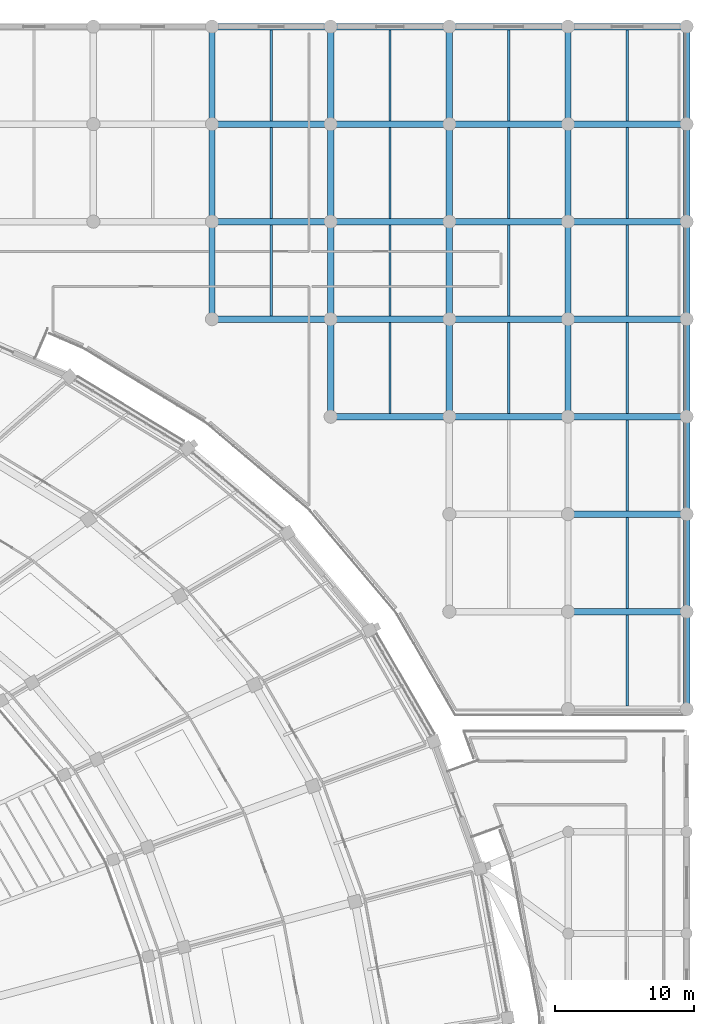
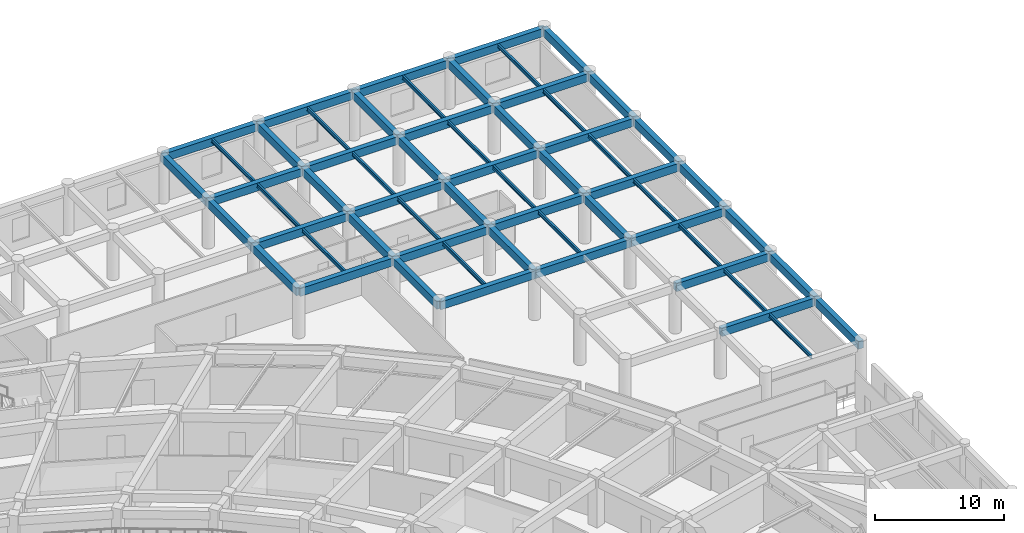
# One storey, part 76 of 152: 61 beams.
"""IFC4 building model written with IfcOpenShell, lengths in metres."""

from ifc_helpers import new_model, si_unit, direction, frame, origin, origin_2d, place, context, subcontext, project, spatial, rectangle, i_section, extrude, material, material_profile, profile_set, type_object, element, save


model = new_model("IFC4")

# Units and contexts
model_context = context("Model", 3, precision=1e-05, world=origin(), true_north=direction((0.0, 1.0)))
body_context = subcontext(model_context, "Body", "Model", "MODEL_VIEW")
ifc_project = project(units=[si_unit("LENGTHUNIT", "METRE"), si_unit("AREAUNIT", "SQUARE_METRE"), si_unit("VOLUMEUNIT", "CUBIC_METRE"), si_unit("PLANEANGLEUNIT", "RADIAN"), si_unit("MASSUNIT", "GRAM", prefix="KILO")], contexts=[model_context])

# Site, building, storey
site_placement = place(None, origin())
site = spatial("IfcSite", under=ifc_project, at=site_placement, CompositionType="ELEMENT")
building_placement = place(site_placement, origin())
building = spatial("IfcBuilding", under=site, at=building_placement, Name="Mphavela Belvedere Stadium", CompositionType="ELEMENT")
storey_placement = place(building_placement, frame((0.0, 0.0, 5.39990234375)))
storey = spatial("IfcBuildingStorey", under=building, at=storey_placement, Name="L01", CompositionType="ELEMENT", Elevation=5.39990234375)

# Beams
ifc_material_1 = material(Name="Steel S355", Category="steel")
ifc_material_profile_1 = material_profile(ifc_material_1, i_section(OverallWidth=0.169921875, OverallDepth=0.360107421875, WebThickness=0.008056640625, FlangeThickness=0.0126953125, at=origin_2d()), Name="IPE 360")
ifc_profile_set_1 = profile_set([ifc_material_profile_1], Name="Steel S355")
beam_type_1 = type_object("IfcBeamType", Name="BM-JOIST-IPE360", PredefinedType="JOIST", material=ifc_profile_set_1)
for number, where, z_axis, x_axis, name in (
    (1, (200.18505859375, 153.22509765625, 4.360107421875), (0.0, 1.0, 0.0), (-1.0, 0.0, 0.0), "North Mast and Ceremonial End Forecourt secondary joist L01 24-5"),
    (2, (200.18505859375, 160.22509765625, 4.360107421875), (0.0, 1.0, 0.0), (-1.0, 0.0, 0.0), "North Mast and Ceremonial End Forecourt secondary joist L01 24-6"),
    (3, (200.18505859375, 167.22509765625, 4.360107421875), (0.0, 1.0, 0.0), (-1.0, 0.0, 0.0), "North Mast and Ceremonial End Forecourt secondary joist L01 24-7"),
    (4, (208.70361328125, 146.22509765625, 4.360107421875), (0.0, 1.0, 0.0), (-1.0, 0.0, 0.0), "North Mast and Ceremonial End Forecourt secondary joist L01 25-4"),
    (5, (208.70361328125, 153.22509765625, 4.360107421875), (0.0, 1.0, 0.0), (-1.0, 0.0, 0.0), "North Mast and Ceremonial End Forecourt secondary joist L01 25-5"),
    (6, (208.70361328125, 160.22509765625, 4.360107421875), (0.0, 1.0, 0.0), (-1.0, 0.0, 0.0), "North Mast and Ceremonial End Forecourt secondary joist L01 25-6"),
    (7, (208.70361328125, 167.22509765625, 4.360107421875), (0.0, 1.0, 0.0), (-1.0, 0.0, 0.0), "North Mast and Ceremonial End Forecourt secondary joist L01 25-7"),
    (8, (217.221923828125, 146.22509765625, 4.360107421875), (0.0, 1.0, 0.0), (-1.0, 0.0, 0.0), "North Mast and Ceremonial End Forecourt secondary joist L01 26-4"),
    (9, (217.221923828125, 153.22509765625, 4.360107421875), (0.0, 1.0, 0.0), (-1.0, 0.0, 0.0), "North Mast and Ceremonial End Forecourt secondary joist L01 26-5"),
    (10, (217.221923828125, 160.22509765625, 4.360107421875), (0.0, 1.0, 0.0), (-1.0, 0.0, 0.0), "North Mast and Ceremonial End Forecourt secondary joist L01 26-6"),
    (11, (217.221923828125, 167.22509765625, 4.360107421875), (0.0, 1.0, 0.0), (-1.0, 0.0, 0.0), "North Mast and Ceremonial End Forecourt secondary joist L01 26-7"),
    (12, (225.740478515625, 125.22509765625, 4.360107421875), (0.0, 1.0, 0.0), (-1.0, 0.0, 0.0), "North Mast and Ceremonial End Forecourt secondary joist L01 27-1"),
    (13, (225.740478515625, 132.22509765625, 4.360107421875), (0.0, 1.0, 0.0), (-1.0, 0.0, 0.0), "North Mast and Ceremonial End Forecourt secondary joist L01 27-2"),
    (14, (225.740478515625, 139.22509765625, 4.360107421875), (0.0, 1.0, 0.0), (-1.0, 0.0, 0.0), "North Mast and Ceremonial End Forecourt secondary joist L01 27-3"),
    (15, (225.740478515625, 146.22509765625, 4.360107421875), (0.0, 1.0, 0.0), (-1.0, 0.0, 0.0), "North Mast and Ceremonial End Forecourt secondary joist L01 27-4"),
    (16, (225.740478515625, 153.22509765625, 4.360107421875), (0.0, 1.0, 0.0), (-1.0, 0.0, 0.0), "North Mast and Ceremonial End Forecourt secondary joist L01 27-5"),
    (17, (225.740478515625, 160.22509765625, 4.360107421875), (0.0, 1.0, 0.0), (-1.0, 0.0, 0.0), "North Mast and Ceremonial End Forecourt secondary joist L01 27-6"),
    (18, (225.740478515625, 167.22509765625, 4.360107421875), (0.0, 1.0, 0.0), (-1.0, 0.0, 0.0), "North Mast and Ceremonial End Forecourt secondary joist L01 27-7"),
):
    element("IfcBeam", number, at=place(storey_placement, frame(where, z_axis=z_axis, x_axis=x_axis)), inside=storey, type_object=beam_type_1, Name=name, PredefinedType="JOIST", context=body_context, shape_type="SweptSolid", body=[
        extrude(i_section(OverallWidth=0.169921875, OverallDepth=0.360107421875, WebThickness=0.008056640625, FlangeThickness=0.0126953125, at=origin_2d()), origin(), (0.0, 0.0, 1.0), 6.5498046875),
    ])
ifc_material_2 = material(Name="Concrete C40/50", Category="concrete")
ifc_material_profile_2 = material_profile(ifc_material_2, rectangle(XDim=0.449951171875, YDim=0.75, at=origin_2d()), Name="RC 450x750")
ifc_profile_set_2 = profile_set([ifc_material_profile_2], Name="Concrete C40/50")
beam_type_2 = type_object("IfcBeamType", Name="BM-RC450x750", PredefinedType="BEAM", material=ifc_profile_set_2)
beam_1_placement = place(storey_placement, frame((195.926025390625, 153.0, 4.1650390625), z_axis=(1.0, 0.0, 0.0), x_axis=(0.0, 1.0, 0.0)))
element("IfcBeam", 19, at=beam_1_placement, inside=storey, type_object=beam_type_2, Name="North Mast and Ceremonial End Forecourt entablature beam X L01 24-5", PredefinedType="BEAM", context=body_context, shape_type="SweptSolid", body=[
    extrude(rectangle(XDim=0.449951171875, YDim=0.75, at=origin_2d()), origin(), (0.0, 0.0, 1.0), 8.51806640625),
])
beam_2_placement = place(storey_placement, frame((195.926025390625, 153.0, 4.1650390625), z_axis=(0.0, 1.0, 0.0), x_axis=(-1.0, 0.0, 0.0)))
element("IfcBeam", 20, at=beam_2_placement, inside=storey, type_object=beam_type_2, Name="North Mast and Ceremonial End Forecourt entablature beam Y L01 24-5", PredefinedType="BEAM", context=body_context, shape_type="SweptSolid", body=[
    extrude(rectangle(XDim=0.449951171875, YDim=0.75, at=origin_2d()), origin(), (0.0, 0.0, 1.0), 7.0),
])
beam_3_placement = place(storey_placement, frame((195.926025390625, 160.0, 4.1650390625), z_axis=(1.0, 0.0, 0.0), x_axis=(0.0, 1.0, 0.0)))
element("IfcBeam", 21, at=beam_3_placement, inside=storey, type_object=beam_type_2, Name="North Mast and Ceremonial End Forecourt entablature beam X L01 24-6", PredefinedType="BEAM", context=body_context, shape_type="SweptSolid", body=[
    extrude(rectangle(XDim=0.449951171875, YDim=0.75, at=origin_2d()), origin(), (0.0, 0.0, 1.0), 8.51806640625),
])
beam_4_placement = place(storey_placement, frame((195.926025390625, 160.0, 4.1650390625), z_axis=(0.0, 1.0, 0.0), x_axis=(-1.0, 0.0, 0.0)))
element("IfcBeam", 22, at=beam_4_placement, inside=storey, type_object=beam_type_2, Name="North Mast and Ceremonial End Forecourt entablature beam Y L01 24-6", PredefinedType="BEAM", context=body_context, shape_type="SweptSolid", body=[
    extrude(rectangle(XDim=0.449951171875, YDim=0.75, at=origin_2d()), origin(), (0.0, 0.0, 1.0), 7.0),
])
beam_5_placement = place(storey_placement, frame((195.926025390625, 167.0, 4.1650390625), z_axis=(1.0, 0.0, 0.0), x_axis=(0.0, 1.0, 0.0)))
element("IfcBeam", 23, at=beam_5_placement, inside=storey, type_object=beam_type_2, Name="North Mast and Ceremonial End Forecourt entablature beam X L01 24-7", PredefinedType="BEAM", context=body_context, shape_type="SweptSolid", body=[
    extrude(rectangle(XDim=0.449951171875, YDim=0.75, at=origin_2d()), origin(), (0.0, 0.0, 1.0), 8.51806640625),
])
beam_6_placement = place(storey_placement, frame((195.926025390625, 167.0, 4.1650390625), z_axis=(0.0, 1.0, 0.0), x_axis=(-1.0, 0.0, 0.0)))
element("IfcBeam", 24, at=beam_6_placement, inside=storey, type_object=beam_type_2, Name="North Mast and Ceremonial End Forecourt entablature beam Y L01 24-7", PredefinedType="BEAM", context=body_context, shape_type="SweptSolid", body=[
    extrude(rectangle(XDim=0.449951171875, YDim=0.75, at=origin_2d()), origin(), (0.0, 0.0, 1.0), 7.0),
])
beam_7_placement = place(storey_placement, frame((195.926025390625, 174.0, 4.1650390625), z_axis=(1.0, 0.0, 0.0), x_axis=(0.0, 1.0, 0.0)))
element("IfcBeam", 25, at=beam_7_placement, inside=storey, type_object=beam_type_2, Name="North Mast and Ceremonial End Forecourt entablature beam X L01 24-8", PredefinedType="BEAM", context=body_context, shape_type="SweptSolid", body=[
    extrude(rectangle(XDim=0.449951171875, YDim=0.75, at=origin_2d()), origin(), (0.0, 0.0, 1.0), 8.51806640625),
])
beam_8_placement = place(storey_placement, frame((204.444091796875, 146.0, 4.1650390625), z_axis=(1.0, 0.0, 0.0), x_axis=(0.0, 1.0, 0.0)))
element("IfcBeam", 26, at=beam_8_placement, inside=storey, type_object=beam_type_2, Name="North Mast and Ceremonial End Forecourt entablature beam X L01 25-4", PredefinedType="BEAM", context=body_context, shape_type="SweptSolid", body=[
    extrude(rectangle(XDim=0.449951171875, YDim=0.75, at=origin_2d()), origin(), (0.0, 0.0, 1.0), 8.518798828125),
])
beam_9_placement = place(storey_placement, frame((204.444091796875, 146.0, 4.1650390625), z_axis=(0.0, 1.0, 0.0), x_axis=(-1.0, 0.0, 0.0)))
element("IfcBeam", 27, at=beam_9_placement, inside=storey, type_object=beam_type_2, Name="North Mast and Ceremonial End Forecourt entablature beam Y L01 25-4", PredefinedType="BEAM", context=body_context, shape_type="SweptSolid", body=[
    extrude(rectangle(XDim=0.449951171875, YDim=0.75, at=origin_2d()), origin(), (0.0, 0.0, 1.0), 7.0),
])
beam_10_placement = place(storey_placement, frame((204.444091796875, 153.0, 4.1650390625), z_axis=(1.0, 0.0, 0.0), x_axis=(0.0, 1.0, 0.0)))
element("IfcBeam", 28, at=beam_10_placement, inside=storey, type_object=beam_type_2, Name="North Mast and Ceremonial End Forecourt entablature beam X L01 25-5", PredefinedType="BEAM", context=body_context, shape_type="SweptSolid", body=[
    extrude(rectangle(XDim=0.449951171875, YDim=0.75, at=origin_2d()), origin(), (0.0, 0.0, 1.0), 8.518798828125),
])
beam_11_placement = place(storey_placement, frame((204.444091796875, 153.0, 4.1650390625), z_axis=(0.0, 1.0, 0.0), x_axis=(-1.0, 0.0, 0.0)))
element("IfcBeam", 29, at=beam_11_placement, inside=storey, type_object=beam_type_2, Name="North Mast and Ceremonial End Forecourt entablature beam Y L01 25-5", PredefinedType="BEAM", context=body_context, shape_type="SweptSolid", body=[
    extrude(rectangle(XDim=0.449951171875, YDim=0.75, at=origin_2d()), origin(), (0.0, 0.0, 1.0), 7.0),
])
beam_12_placement = place(storey_placement, frame((204.444091796875, 160.0, 4.1650390625), z_axis=(1.0, 0.0, 0.0), x_axis=(0.0, 1.0, 0.0)))
element("IfcBeam", 30, at=beam_12_placement, inside=storey, type_object=beam_type_2, Name="North Mast and Ceremonial End Forecourt entablature beam X L01 25-6", PredefinedType="BEAM", context=body_context, shape_type="SweptSolid", body=[
    extrude(rectangle(XDim=0.449951171875, YDim=0.75, at=origin_2d()), origin(), (0.0, 0.0, 1.0), 8.518798828125),
])
beam_13_placement = place(storey_placement, frame((204.444091796875, 160.0, 4.1650390625), z_axis=(0.0, 1.0, 0.0), x_axis=(-1.0, 0.0, 0.0)))
element("IfcBeam", 31, at=beam_13_placement, inside=storey, type_object=beam_type_2, Name="North Mast and Ceremonial End Forecourt entablature beam Y L01 25-6", PredefinedType="BEAM", context=body_context, shape_type="SweptSolid", body=[
    extrude(rectangle(XDim=0.449951171875, YDim=0.75, at=origin_2d()), origin(), (0.0, 0.0, 1.0), 7.0),
])
beam_14_placement = place(storey_placement, frame((204.444091796875, 167.0, 4.1650390625), z_axis=(1.0, 0.0, 0.0), x_axis=(0.0, 1.0, 0.0)))
element("IfcBeam", 32, at=beam_14_placement, inside=storey, type_object=beam_type_2, Name="North Mast and Ceremonial End Forecourt entablature beam X L01 25-7", PredefinedType="BEAM", context=body_context, shape_type="SweptSolid", body=[
    extrude(rectangle(XDim=0.449951171875, YDim=0.75, at=origin_2d()), origin(), (0.0, 0.0, 1.0), 8.518798828125),
])
beam_15_placement = place(storey_placement, frame((204.444091796875, 167.0, 4.1650390625), z_axis=(0.0, 1.0, 0.0), x_axis=(-1.0, 0.0, 0.0)))
element("IfcBeam", 33, at=beam_15_placement, inside=storey, type_object=beam_type_2, Name="North Mast and Ceremonial End Forecourt entablature beam Y L01 25-7", PredefinedType="BEAM", context=body_context, shape_type="SweptSolid", body=[
    extrude(rectangle(XDim=0.449951171875, YDim=0.75, at=origin_2d()), origin(), (0.0, 0.0, 1.0), 7.0),
])
beam_16_placement = place(storey_placement, frame((204.444091796875, 174.0, 4.1650390625), z_axis=(1.0, 0.0, 0.0), x_axis=(0.0, 1.0, 0.0)))
element("IfcBeam", 34, at=beam_16_placement, inside=storey, type_object=beam_type_2, Name="North Mast and Ceremonial End Forecourt entablature beam X L01 25-8", PredefinedType="BEAM", context=body_context, shape_type="SweptSolid", body=[
    extrude(rectangle(XDim=0.449951171875, YDim=0.75, at=origin_2d()), origin(), (0.0, 0.0, 1.0), 8.518798828125),
])
beam_17_placement = place(storey_placement, frame((212.962890625, 146.0, 4.1650390625), z_axis=(1.0, 0.0, 0.0), x_axis=(0.0, 1.0, 0.0)))
element("IfcBeam", 35, at=beam_17_placement, inside=storey, type_object=beam_type_2, Name="North Mast and Ceremonial End Forecourt entablature beam X L01 26-4", PredefinedType="BEAM", context=body_context, shape_type="SweptSolid", body=[
    extrude(rectangle(XDim=0.449951171875, YDim=0.75, at=origin_2d()), origin(), (0.0, 0.0, 1.0), 8.51806640625),
])
beam_18_placement = place(storey_placement, frame((212.962890625, 146.0, 4.1650390625), z_axis=(0.0, 1.0, 0.0), x_axis=(-1.0, 0.0, 0.0)))
element("IfcBeam", 36, at=beam_18_placement, inside=storey, type_object=beam_type_2, Name="North Mast and Ceremonial End Forecourt entablature beam Y L01 26-4", PredefinedType="BEAM", context=body_context, shape_type="SweptSolid", body=[
    extrude(rectangle(XDim=0.449951171875, YDim=0.75, at=origin_2d()), origin(), (0.0, 0.0, 1.0), 7.0),
])
beam_19_placement = place(storey_placement, frame((212.962890625, 153.0, 4.1650390625), z_axis=(1.0, 0.0, 0.0), x_axis=(0.0, 1.0, 0.0)))
element("IfcBeam", 37, at=beam_19_placement, inside=storey, type_object=beam_type_2, Name="North Mast and Ceremonial End Forecourt entablature beam X L01 26-5", PredefinedType="BEAM", context=body_context, shape_type="SweptSolid", body=[
    extrude(rectangle(XDim=0.449951171875, YDim=0.75, at=origin_2d()), origin(), (0.0, 0.0, 1.0), 8.51806640625),
])
beam_20_placement = place(storey_placement, frame((212.962890625, 153.0, 4.1650390625), z_axis=(0.0, 1.0, 0.0), x_axis=(-1.0, 0.0, 0.0)))
element("IfcBeam", 38, at=beam_20_placement, inside=storey, type_object=beam_type_2, Name="North Mast and Ceremonial End Forecourt entablature beam Y L01 26-5", PredefinedType="BEAM", context=body_context, shape_type="SweptSolid", body=[
    extrude(rectangle(XDim=0.449951171875, YDim=0.75, at=origin_2d()), origin(), (0.0, 0.0, 1.0), 7.0),
])
beam_21_placement = place(storey_placement, frame((212.962890625, 160.0, 4.1650390625), z_axis=(1.0, 0.0, 0.0), x_axis=(0.0, 1.0, 0.0)))
element("IfcBeam", 39, at=beam_21_placement, inside=storey, type_object=beam_type_2, Name="North Mast and Ceremonial End Forecourt entablature beam X L01 26-6", PredefinedType="BEAM", context=body_context, shape_type="SweptSolid", body=[
    extrude(rectangle(XDim=0.449951171875, YDim=0.75, at=origin_2d()), origin(), (0.0, 0.0, 1.0), 8.51806640625),
])
beam_22_placement = place(storey_placement, frame((212.962890625, 160.0, 4.1650390625), z_axis=(0.0, 1.0, 0.0), x_axis=(-1.0, 0.0, 0.0)))
element("IfcBeam", 40, at=beam_22_placement, inside=storey, type_object=beam_type_2, Name="North Mast and Ceremonial End Forecourt entablature beam Y L01 26-6", PredefinedType="BEAM", context=body_context, shape_type="SweptSolid", body=[
    extrude(rectangle(XDim=0.449951171875, YDim=0.75, at=origin_2d()), origin(), (0.0, 0.0, 1.0), 7.0),
])
beam_23_placement = place(storey_placement, frame((212.962890625, 167.0, 4.1650390625), z_axis=(1.0, 0.0, 0.0), x_axis=(0.0, 1.0, 0.0)))
element("IfcBeam", 41, at=beam_23_placement, inside=storey, type_object=beam_type_2, Name="North Mast and Ceremonial End Forecourt entablature beam X L01 26-7", PredefinedType="BEAM", context=body_context, shape_type="SweptSolid", body=[
    extrude(rectangle(XDim=0.449951171875, YDim=0.75, at=origin_2d()), origin(), (0.0, 0.0, 1.0), 8.51806640625),
])
beam_24_placement = place(storey_placement, frame((212.962890625, 167.0, 4.1650390625), z_axis=(0.0, 1.0, 0.0), x_axis=(-1.0, 0.0, 0.0)))
element("IfcBeam", 42, at=beam_24_placement, inside=storey, type_object=beam_type_2, Name="North Mast and Ceremonial End Forecourt entablature beam Y L01 26-7", PredefinedType="BEAM", context=body_context, shape_type="SweptSolid", body=[
    extrude(rectangle(XDim=0.449951171875, YDim=0.75, at=origin_2d()), origin(), (0.0, 0.0, 1.0), 7.0),
])
beam_25_placement = place(storey_placement, frame((212.962890625, 174.0, 4.1650390625), z_axis=(1.0, 0.0, 0.0), x_axis=(0.0, 1.0, 0.0)))
element("IfcBeam", 43, at=beam_25_placement, inside=storey, type_object=beam_type_2, Name="North Mast and Ceremonial End Forecourt entablature beam X L01 26-8", PredefinedType="BEAM", context=body_context, shape_type="SweptSolid", body=[
    extrude(rectangle(XDim=0.449951171875, YDim=0.75, at=origin_2d()), origin(), (0.0, 0.0, 1.0), 8.51806640625),
])
for number, where, z_axis, x_axis, name in (
    (44, (221.48095703125, 132.0, 4.1650390625), (1.0, 0.0, 0.0), (0.0, 1.0, 0.0), "North Mast and Ceremonial End Forecourt entablature beam X L01 27-2"),
    (45, (221.48095703125, 139.0, 4.1650390625), (1.0, 0.0, 0.0), (0.0, 1.0, 0.0), "North Mast and Ceremonial End Forecourt entablature beam X L01 27-3"),
    (46, (221.48095703125, 146.0, 4.1650390625), (1.0, 0.0, 0.0), (0.0, 1.0, 0.0), "North Mast and Ceremonial End Forecourt entablature beam X L01 27-4"),
):
    element("IfcBeam", number, at=place(storey_placement, frame(where, z_axis=z_axis, x_axis=x_axis)), inside=storey, type_object=beam_type_2, Name=name, PredefinedType="BEAM", context=body_context, shape_type="SweptSolid", body=[
        extrude(rectangle(XDim=0.449951171875, YDim=0.75, at=origin_2d()), origin(), (0.0, 0.0, 1.0), 8.51904296875),
    ])
beam_26_placement = place(storey_placement, frame((221.48095703125, 146.0, 4.1650390625), z_axis=(0.0, 1.0, 0.0), x_axis=(-1.0, 0.0, 0.0)))
element("IfcBeam", 47, at=beam_26_placement, inside=storey, type_object=beam_type_2, Name="North Mast and Ceremonial End Forecourt entablature beam Y L01 27-4", PredefinedType="BEAM", context=body_context, shape_type="SweptSolid", body=[
    extrude(rectangle(XDim=0.449951171875, YDim=0.75, at=origin_2d()), origin(), (0.0, 0.0, 1.0), 7.0),
])
beam_27_placement = place(storey_placement, frame((221.48095703125, 153.0, 4.1650390625), z_axis=(1.0, 0.0, 0.0), x_axis=(0.0, 1.0, 0.0)))
element("IfcBeam", 48, at=beam_27_placement, inside=storey, type_object=beam_type_2, Name="North Mast and Ceremonial End Forecourt entablature beam X L01 27-5", PredefinedType="BEAM", context=body_context, shape_type="SweptSolid", body=[
    extrude(rectangle(XDim=0.449951171875, YDim=0.75, at=origin_2d()), origin(), (0.0, 0.0, 1.0), 8.51904296875),
])
beam_28_placement = place(storey_placement, frame((221.48095703125, 153.0, 4.1650390625), z_axis=(0.0, 1.0, 0.0), x_axis=(-1.0, 0.0, 0.0)))
element("IfcBeam", 49, at=beam_28_placement, inside=storey, type_object=beam_type_2, Name="North Mast and Ceremonial End Forecourt entablature beam Y L01 27-5", PredefinedType="BEAM", context=body_context, shape_type="SweptSolid", body=[
    extrude(rectangle(XDim=0.449951171875, YDim=0.75, at=origin_2d()), origin(), (0.0, 0.0, 1.0), 7.0),
])
beam_29_placement = place(storey_placement, frame((221.48095703125, 160.0, 4.1650390625), z_axis=(1.0, 0.0, 0.0), x_axis=(0.0, 1.0, 0.0)))
element("IfcBeam", 50, at=beam_29_placement, inside=storey, type_object=beam_type_2, Name="North Mast and Ceremonial End Forecourt entablature beam X L01 27-6", PredefinedType="BEAM", context=body_context, shape_type="SweptSolid", body=[
    extrude(rectangle(XDim=0.449951171875, YDim=0.75, at=origin_2d()), origin(), (0.0, 0.0, 1.0), 8.51904296875),
])
beam_30_placement = place(storey_placement, frame((221.48095703125, 160.0, 4.1650390625), z_axis=(0.0, 1.0, 0.0), x_axis=(-1.0, 0.0, 0.0)))
element("IfcBeam", 51, at=beam_30_placement, inside=storey, type_object=beam_type_2, Name="North Mast and Ceremonial End Forecourt entablature beam Y L01 27-6", PredefinedType="BEAM", context=body_context, shape_type="SweptSolid", body=[
    extrude(rectangle(XDim=0.449951171875, YDim=0.75, at=origin_2d()), origin(), (0.0, 0.0, 1.0), 7.0),
])
beam_31_placement = place(storey_placement, frame((221.48095703125, 167.0, 4.1650390625), z_axis=(1.0, 0.0, 0.0), x_axis=(0.0, 1.0, 0.0)))
element("IfcBeam", 52, at=beam_31_placement, inside=storey, type_object=beam_type_2, Name="North Mast and Ceremonial End Forecourt entablature beam X L01 27-7", PredefinedType="BEAM", context=body_context, shape_type="SweptSolid", body=[
    extrude(rectangle(XDim=0.449951171875, YDim=0.75, at=origin_2d()), origin(), (0.0, 0.0, 1.0), 8.51904296875),
])
beam_32_placement = place(storey_placement, frame((221.48095703125, 167.0, 4.1650390625), z_axis=(0.0, 1.0, 0.0), x_axis=(-1.0, 0.0, 0.0)))
element("IfcBeam", 53, at=beam_32_placement, inside=storey, type_object=beam_type_2, Name="North Mast and Ceremonial End Forecourt entablature beam Y L01 27-7", PredefinedType="BEAM", context=body_context, shape_type="SweptSolid", body=[
    extrude(rectangle(XDim=0.449951171875, YDim=0.75, at=origin_2d()), origin(), (0.0, 0.0, 1.0), 7.0),
])
beam_33_placement = place(storey_placement, frame((221.48095703125, 174.0, 4.1650390625), z_axis=(1.0, 0.0, 0.0), x_axis=(0.0, 1.0, 0.0)))
element("IfcBeam", 54, at=beam_33_placement, inside=storey, type_object=beam_type_2, Name="North Mast and Ceremonial End Forecourt entablature beam X L01 27-8", PredefinedType="BEAM", context=body_context, shape_type="SweptSolid", body=[
    extrude(rectangle(XDim=0.449951171875, YDim=0.75, at=origin_2d()), origin(), (0.0, 0.0, 1.0), 8.51904296875),
])
for number, where, z_axis, x_axis, name in (
    (55, (230.0, 125.0, 4.1650390625), (0.0, 1.0, 0.0), (-1.0, 0.0, 0.0), "North Mast and Ceremonial End Forecourt entablature beam Y L01 28-1"),
    (56, (230.0, 132.0, 4.1650390625), (0.0, 1.0, 0.0), (-1.0, 0.0, 0.0), "North Mast and Ceremonial End Forecourt entablature beam Y L01 28-2"),
    (57, (230.0, 139.0, 4.1650390625), (0.0, 1.0, 0.0), (-1.0, 0.0, 0.0), "North Mast and Ceremonial End Forecourt entablature beam Y L01 28-3"),
    (58, (230.0, 146.0, 4.1650390625), (0.0, 1.0, 0.0), (-1.0, 0.0, 0.0), "North Mast and Ceremonial End Forecourt entablature beam Y L01 28-4"),
    (59, (230.0, 153.0, 4.1650390625), (0.0, 1.0, 0.0), (-1.0, 0.0, 0.0), "North Mast and Ceremonial End Forecourt entablature beam Y L01 28-5"),
    (60, (230.0, 160.0, 4.1650390625), (0.0, 1.0, 0.0), (-1.0, 0.0, 0.0), "North Mast and Ceremonial End Forecourt entablature beam Y L01 28-6"),
    (61, (230.0, 167.0, 4.1650390625), (0.0, 1.0, 0.0), (-1.0, 0.0, 0.0), "North Mast and Ceremonial End Forecourt entablature beam Y L01 28-7"),
):
    element("IfcBeam", number, at=place(storey_placement, frame(where, z_axis=z_axis, x_axis=x_axis)), inside=storey, type_object=beam_type_2, Name=name, PredefinedType="BEAM", context=body_context, shape_type="SweptSolid", body=[
        extrude(rectangle(XDim=0.449951171875, YDim=0.75, at=origin_2d()), origin(), (0.0, 0.0, 1.0), 7.0),
    ])

save(model, "model.ifc")
